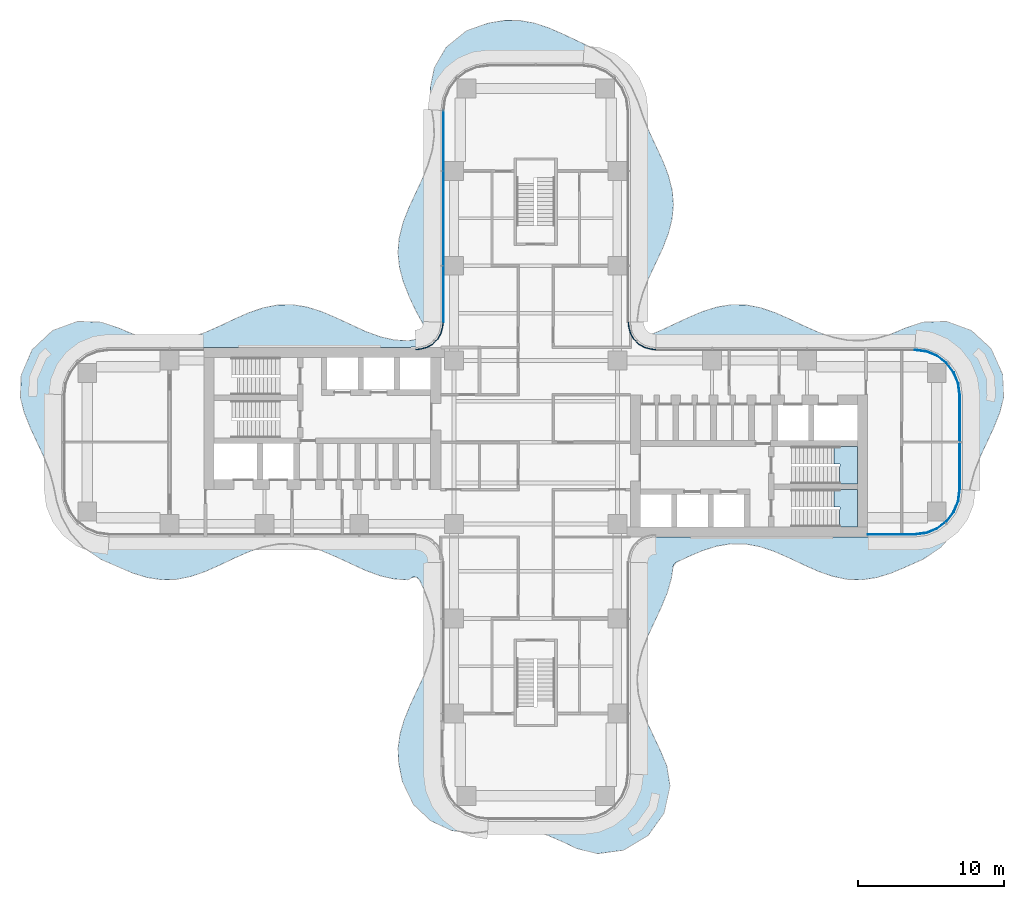
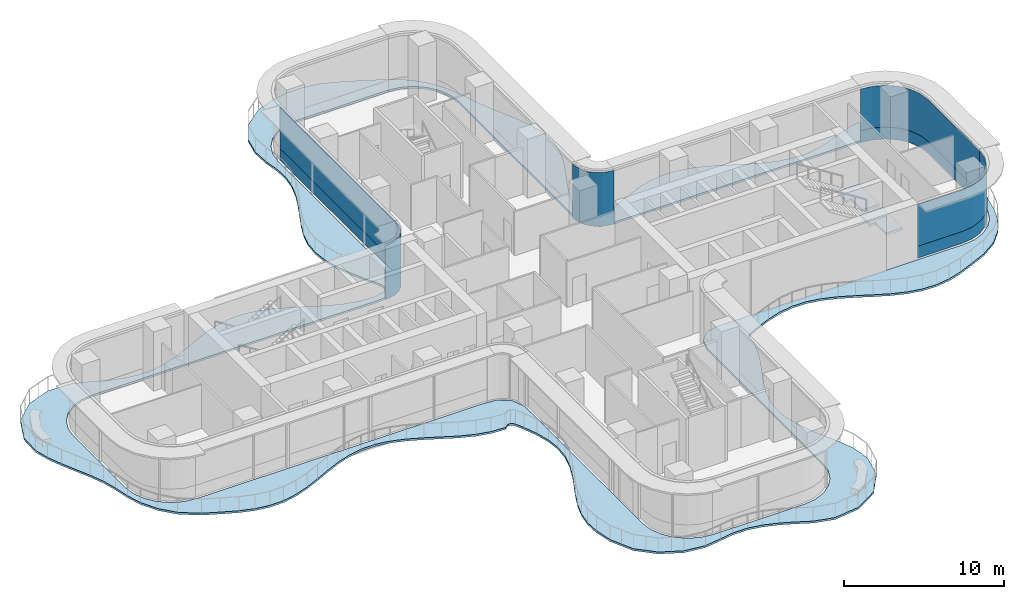
# One storey, part 13 of 20: 8 plates, 3 slabs, 7 elements without a shape of their own.
"""IFC4 building model written with IfcOpenShell, lengths in metres."""

from ifc_helpers import new_model, si_unit, direction, frame, origin, place, context, subcontext, project, spatial, polyline, outline, extrude, source, transform, mapped, material, layer, layer_set, type_object, element, aggregate, save


model = new_model("IFC4")

# Units and contexts
model_context = context("Model", 3, precision=1e-05, world=origin(), true_north=direction((0.0, 1.0)))
body_context = subcontext(model_context, "Body", "Model", "MODEL_VIEW")
ifc_project = project(units=[si_unit("LENGTHUNIT", "METRE"), si_unit("AREAUNIT", "SQUARE_METRE"), si_unit("VOLUMEUNIT", "CUBIC_METRE"), si_unit("PLANEANGLEUNIT", "RADIAN"), si_unit("MASSUNIT", "GRAM", prefix="KILO")], contexts=[model_context])

# Site, building, storey
site_placement = place(None, origin())
site = spatial("IfcSite", under=ifc_project, at=site_placement, CompositionType="ELEMENT")
building_placement = place(site_placement, origin())
building = spatial("IfcBuilding", under=site, at=building_placement, Name="Trellis Farm Tower", CompositionType="ELEMENT")
storey_placement = place(building_placement, frame((0.0, 0.0, 142.5)))
storey = spatial("IfcBuildingStorey", under=building, at=storey_placement, Name="L30", CompositionType="ELEMENT", Elevation=142.5)

# Slab
ifc_material_1 = material(Name="Concrete C40/50", Category="concrete")
ifc_layer_1 = layer(ifc_material_1, 0.14990234375)
ifc_layer_set_1 = layer_set([ifc_layer_1], Name="Balcony slab 150")
slab_type_1 = type_object("IfcSlabType", Name="Balcony slab 150", PredefinedType="FLOOR", material=ifc_layer_set_1)
slab_1_placement = place(storey_placement, frame((0.0, 0.0, -0.14990234375)))
element("IfcSlab", 1, at=slab_1_placement, inside=storey, type_object=slab_type_1, Name="Balcony slab", PredefinedType="FLOOR", context=body_context, shape_type="SweptSolid", body=[
    extrude(outline(polyline([(-8.247802734375, -9.2275390625), (-8.375, -9.232421875), (-8.408203125, -9.24169921875), (-8.52734375, -9.307861328125), (-8.54150390625, -9.318115234375), (-8.63330078125, -9.40234375), (-8.684326171875, -9.43310546875), (-8.687744140625, -9.434326171875), (-8.7470703125, -9.44287109375), (-9.680419921875, -9.388427734375), (-9.704833984375, -9.385009765625), (-10.655029296875, -9.168701171875), (-10.67333984375, -9.163330078125), (-11.672119140625, -8.7978515625), (-11.68359375, -8.79296875), (-13.65869140625, -7.876953125), (-13.66064453125, -7.8759765625), (-14.67529296875, -7.44384765625), (-14.68212890625, -7.44140625), (-15.679443359375, -7.12744140625), (-15.690185546875, -7.125), (-16.680908203125, -6.9677734375), (-16.694091796875, -6.966796875), (-17.6767578125, -6.98583984375), (-17.689697265625, -6.987060546875), (-18.668212890625, -7.176513671875), (-18.677978515625, -7.17919921875), (-19.657958984375, -7.512451171875), (-19.663818359375, -7.514892578125), (-20.637939453125, -7.9423828125), (-20.639892578125, -7.943115234375), (-21.64111328125, -8.419189453125), (-21.64453125, -8.4208984375), (-22.638671875, -8.861572265625), (-22.650390625, -8.8662109375), (-23.636474609375, -9.2080078125), (-23.656005859375, -9.21337890625), (-24.6337890625, -9.4091796875), (-24.6591796875, -9.412109375), (-25.63037109375, -9.436279296875), (-25.65673828125, -9.434814453125), (-26.62646484375, -9.286376953125), (-26.648193359375, -9.281494140625), (-27.622802734375, -8.980224609375), (-27.63671875, -8.97509765625), (-28.618896484375, -8.5615234375), (-28.62158203125, -8.560546875), (-29.79443359375, -8.0400390625), (-29.817138671875, -8.027587890625), (-30.999267578125, -7.234375), (-31.027587890625, -7.209716796875), (-31.86865234375, -6.26708984375), (-31.8876953125, -6.240234375), (-32.486328125, -5.1689453125), (-32.498046875, -5.14208984375), (-32.8388671875, -4.094482421875), (-32.84326171875, -4.077880859375), (-33.064208984375, -2.986328125), (-33.0654296875, -2.981201171875), (-33.342041015625, -1.979248046875), (-33.3447265625, -1.971435546875), (-33.73779296875, -0.98974609375), (-33.739501953125, -0.986083984375), (-34.66162109375, 0.988525390625), (-34.6650390625, 0.996337890625), (-35.0634765625, 1.9951171875), (-35.069091796875, 2.0126953125), (-35.33203125, 3.0205078125), (-35.336669921875, 3.063232421875), (-35.287353515625, 4.5576171875), (-35.28369140625, 4.585693359375), (-35.275634765625, 4.621337890625), (-35.266845703125, 4.648193359375), (-34.5322265625, 6.337158203125), (-34.516845703125, 6.364501953125), (-34.49365234375, 6.397216796875), (-34.472900390625, 6.420654296875), (-33.14599609375, 7.640380859375), (-33.122314453125, 7.658203125), (-33.08984375, 7.677978515625), (-33.063232421875, 7.69091796875), (-31.477294921875, 8.269775390625), (-31.4501953125, 8.27685546875), (-31.41455078125, 8.28271484375), (-31.385986328125, 8.28466796875), (-29.84619140625, 8.2392578125), (-29.80322265625, 8.231689453125), (-28.630615234375, 7.84228515625), (-28.6201171875, 7.838134765625), (-27.608642578125, 7.414794921875), (-27.601806640625, 7.412353515625), (-26.6552734375, 7.12060546875), (-26.64453125, 7.118408203125), (-25.66552734375, 6.966552734375), (-25.65234375, 6.9658203125), (-24.66796875, 6.98779296875), (-24.6552734375, 6.989013671875), (-23.66259765625, 7.185302734375), (-23.65283203125, 7.18798828125), (-22.654296875, 7.532470703125), (-22.648193359375, 7.534912109375), (-21.645751953125, 7.978759765625), (-21.64404296875, 7.9794921875), (-20.6435546875, 8.455078125), (-20.639404296875, 8.45703125), (-19.659912109375, 8.886962890625), (-19.647705078125, 8.8916015625), (-18.67138671875, 9.22314453125), (-18.651611328125, 9.228515625), (-17.680908203125, 9.41455078125), (-17.6552734375, 9.417236328125), (-16.685302734375, 9.433349609375), (-16.65869140625, 9.431396484375), (-15.68310546875, 9.27392578125), (-15.66162109375, 9.268798828125), (-14.677490234375, 8.957275390625), (-14.6640625, 8.9521484375), (-13.664794921875, 8.52587890625), (-13.66064453125, 8.52392578125), (-11.686767578125, 7.6083984375), (-11.680908203125, 7.60595703125), (-10.657958984375, 7.232666015625), (-10.648681640625, 7.22998046875), (-9.713134765625, 7.016845703125), (-9.701171875, 7.01513671875), (-8.736083984375, 6.956298828125), (-8.72509765625, 6.95654296875), (-8.638916015625, 6.9638671875), (-8.62841796875, 6.96533203125), (-8.012939453125, 7.10498046875), (-7.998779296875, 7.10986328125), (-7.89208984375, 7.157958984375), (-7.8681640625, 7.17529296875), (-7.788818359375, 7.260986328125), (-7.77978515625, 7.27294921875), (-7.64501953125, 7.495361328125), (-7.6376953125, 7.51123046875), (-7.59619140625, 7.64111328125), (-7.593505859375, 7.67529296875), (-7.615234375, 7.809814453125), (-7.6201171875, 7.826904296875), (-7.77978515625, 8.205078125), (-7.783203125, 8.21240234375), (-8.23681640625, 9.031005859375), (-8.24169921875, 9.040283203125), (-8.699462890625, 10.027587890625), (-8.703125, 10.035888671875), (-9.08349609375, 11.006103515625), (-9.0888671875, 11.0224609375), (-9.346435546875, 11.9951171875), (-9.3505859375, 12.018798828125), (-9.447021484375, 12.98828125), (-9.447265625, 13.01513671875), (-9.368896484375, 13.987548828125), (-9.364990234375, 14.011962890625), (-9.1142578125, 15.011962890625), (-9.108642578125, 15.029296875), (-8.732421875, 16.00830078125), (-8.728271484375, 16.017822265625), (-7.8076171875, 17.99267578125), (-7.80615234375, 17.99560546875), (-7.398681640625, 18.97802734375), (-7.39599609375, 18.985595703125), (-7.091796875, 20.01611328125), (-7.08935546875, 20.027587890625), (-6.958740234375, 21.01708984375), (-6.958251953125, 21.030029296875), (-7.001708984375, 22.005859375), (-7.002685546875, 22.0146484375), (-7.17626953125, 23.06884765625), (-7.177978515625, 23.0869140625), (-7.228759765625, 24.3154296875), (-7.225830078125, 24.351806640625), (-6.95458984375, 25.66943359375), (-6.9375, 25.714599609375), (-6.149658203125, 27.0703125), (-6.133544921875, 27.093017578125), (-6.111083984375, 27.118896484375), (-6.091064453125, 27.13818359375), (-4.74609375, 28.2109375), (-4.701904296875, 28.235595703125), (-3.248779296875, 28.739501953125), (-3.223876953125, 28.745849609375), (-2.12158203125, 28.92529296875), (-2.096923828125, 28.92724609375), (-1.12451171875, 28.9248046875), (-1.098388671875, 28.92236328125), (-0.12841796875, 28.74853515625), (-0.10791015625, 28.743408203125), (0.85302734375, 28.427490234375), (0.86572265625, 28.422607421875), (1.864501953125, 27.990478515625), (1.868896484375, 27.988525390625), (3.99609375, 26.988037109375), (4.016357421875, 26.976806640625), (5.090576171875, 26.251708984375), (5.1162109375, 26.22998046875), (5.922607421875, 25.369140625), (5.939697265625, 25.34716796875), (6.544189453125, 24.3984375), (6.5546875, 24.378662109375), (7.0185546875, 23.331298828125), (7.023193359375, 23.3193359375), (7.385986328125, 22.260986328125), (7.3876953125, 22.2568359375), (7.79931640625, 21.260986328125), (7.80078125, 21.2578125), (8.728271484375, 19.267822265625), (8.732421875, 19.25830078125), (9.108642578125, 18.279296875), (9.1142578125, 18.26220703125), (9.3603515625, 17.289794921875), (9.3642578125, 17.265869140625), (9.447509765625, 16.296630859375), (9.447265625, 16.269287109375), (9.3505859375, 15.26904296875), (9.346435546875, 15.2451171875), (9.0888671875, 14.2724609375), (9.08349609375, 14.256103515625), (8.698974609375, 13.2763671875), (8.6953125, 13.267578125), (7.773193359375, 11.29296875), (7.771728515625, 11.28955078125), (7.371337890625, 10.307373046875), (7.36865234375, 10.2998046875), (7.086181640625, 9.320556640625), (7.083984375, 9.3095703125), (6.9638671875, 8.389404296875), (6.96337890625, 8.373046875), (6.975341796875, 8.24072265625), (6.978515625, 8.22509765625), (7.128173828125, 7.748291015625), (7.134765625, 7.733642578125), (7.197021484375, 7.624755859375), (7.21826171875, 7.601318359375), (7.320068359375, 7.528564453125), (7.334228515625, 7.5205078125), (7.6083984375, 7.403076171875), (7.635986328125, 7.397216796875), (7.869384765625, 7.392333984375), (7.8974609375, 7.397216796875), (8.443359375, 7.60546875), (8.448486328125, 7.607666015625), (10.410400390625, 8.52392578125), (10.4150390625, 8.52587890625), (11.4140625, 8.9521484375), (11.427490234375, 8.957275390625), (12.41162109375, 9.268798828125), (12.43310546875, 9.27392578125), (13.40869140625, 9.431396484375), (13.435302734375, 9.433349609375), (14.4052734375, 9.417236328125), (14.430908203125, 9.41455078125), (15.401611328125, 9.228515625), (15.42138671875, 9.22314453125), (16.397705078125, 8.8916015625), (16.409912109375, 8.886962890625), (17.389404296875, 8.45703125), (17.3935546875, 8.455078125), (18.39404296875, 7.9794921875), (18.395751953125, 7.978759765625), (19.398193359375, 7.534912109375), (19.404296875, 7.532470703125), (20.40283203125, 7.18798828125), (20.41259765625, 7.185302734375), (21.4052734375, 6.989013671875), (21.41796875, 6.98779296875), (22.40234375, 6.9658203125), (22.41552734375, 6.966552734375), (23.39453125, 7.118408203125), (23.4052734375, 7.12060546875), (24.351806640625, 7.412353515625), (24.358642578125, 7.414794921875), (25.3701171875, 7.838134765625), (25.380615234375, 7.84228515625), (26.55322265625, 8.231689453125), (26.59619140625, 8.2392578125), (28.135986328125, 8.28466796875), (28.16455078125, 8.28271484375), (28.2001953125, 8.27685546875), (28.227294921875, 8.269775390625), (29.813232421875, 7.69091796875), (29.83984375, 7.677978515625), (29.872314453125, 7.658203125), (29.89599609375, 7.640380859375), (31.222900390625, 6.420654296875), (31.24365234375, 6.397216796875), (31.266845703125, 6.364501953125), (31.2822265625, 6.337158203125), (32.016845703125, 4.648193359375), (32.025634765625, 4.621337890625), (32.03369140625, 4.585693359375), (32.037353515625, 4.5576171875), (32.086669921875, 3.063232421875), (32.08203125, 3.0205078125), (31.819091796875, 2.0126953125), (31.8134765625, 1.9951171875), (31.4150390625, 0.996337890625), (31.41162109375, 0.988525390625), (30.489501953125, -0.986083984375), (30.48779296875, -0.98974609375), (30.0947265625, -1.971435546875), (30.092041015625, -1.979248046875), (29.8154296875, -2.981201171875), (29.814208984375, -2.986328125), (29.59326171875, -4.077880859375), (29.5888671875, -4.094482421875), (29.248046875, -5.14208984375), (29.236328125, -5.1689453125), (28.6376953125, -6.240234375), (28.61865234375, -6.26708984375), (27.77734375, -7.209716796875), (27.749267578125, -7.234375), (26.59326171875, -8.01318359375), (26.570556640625, -8.025634765625), (25.371826171875, -8.560302734375), (25.368896484375, -8.561767578125), (24.37060546875, -8.981201171875), (24.3564453125, -8.986083984375), (23.372802734375, -9.287109375), (23.35107421875, -9.292236328125), (22.375732421875, -9.436767578125), (22.349365234375, -9.438232421875), (21.37939453125, -9.40869140625), (21.35400390625, -9.40576171875), (20.38330078125, -9.207275390625), (20.36376953125, -9.201904296875), (19.38671875, -8.86083984375), (19.37548828125, -8.856201171875), (18.390380859375, -8.4189453125), (18.386962890625, -8.417236328125), (17.39013671875, -7.943359375), (17.387939453125, -7.9423828125), (16.3857421875, -7.50390625), (16.37939453125, -7.50146484375), (15.381103515625, -7.166748046875), (15.37109375, -7.164306640625), (14.379150390625, -6.98095703125), (14.3662109375, -6.979736328125), (13.38232421875, -6.97119140625), (13.369384765625, -6.972412109375), (12.390380859375, -7.13671875), (12.380126953125, -7.139404296875), (11.400634765625, -7.453125), (11.39404296875, -7.45556640625), (10.423583984375, -7.870361328125), (10.4208984375, -7.87158203125), (9.631591796875, -8.24560546875), (9.615966796875, -8.255615234375), (9.5048828125, -8.347412109375), (9.483642578125, -8.376708984375), (9.4296875, -8.510498046875), (9.425048828125, -8.5283203125), (9.32080078125, -9.290771484375), (9.31640625, -9.31201171875), (9.035888671875, -10.287109375), (9.03076171875, -10.30224609375), (8.630859375, -11.28369140625), (8.627685546875, -11.29052734375), (7.7060546875, -13.264892578125), (7.7041015625, -13.269287109375), (7.305908203125, -14.289306640625), (7.303466796875, -14.29736328125), (7.0556640625, -15.237548828125), (7.053466796875, -15.2490234375), (6.953857421875, -16.229248046875), (6.95361328125, -16.24267578125), (7.030517578125, -17.2294921875), (7.0322265625, -17.24169921875), (7.278076171875, -18.236083984375), (7.28076171875, -18.244873046875), (7.6708984375, -19.265869140625), (7.673095703125, -19.270751953125), (8.593505859375, -21.244873046875), (8.59619140625, -21.250732421875), (8.994873046875, -22.21240234375), (9.00439453125, -22.24658203125), (9.21044921875, -23.561279296875), (9.212158203125, -23.58935546875), (9.2109375, -23.625244140625), (9.20751953125, -23.652587890625), (8.82421875, -25.37451171875), (8.81494140625, -25.403076171875), (8.799072265625, -25.438720703125), (8.7841796875, -25.464599609375), (7.71435546875, -26.961669921875), (7.69384765625, -26.985107421875), (7.664306640625, -27.01220703125), (7.63916015625, -27.03076171875), (6.08154296875, -27.95361328125), (6.05419921875, -27.96630859375), (6.017333984375, -27.97900390625), (5.988037109375, -27.986083984375), (4.262939453125, -28.21630859375), (4.234619140625, -28.21728515625), (4.197998046875, -28.215087890625), (4.169677734375, -28.2109375), (2.859619140625, -27.87890625), (2.831787109375, -27.869140625), (1.87060546875, -27.412353515625), (1.868408203125, -27.4111328125), (0.885009765625, -26.98486328125), (0.878662109375, -26.982421875), (-0.10107421875, -26.65869140625), (-0.111083984375, -26.65625), (-1.089599609375, -26.479248046875), (-1.10302734375, -26.47802734375), (-2.146484375, -26.477783203125), (-2.1591796875, -26.47900390625), (-3.144775390625, -26.64892578125), (-3.14892578125, -26.649658203125), (-4.32470703125, -26.8173828125), (-4.365478515625, -26.817626953125), (-5.74951171875, -26.635009765625), (-5.793701171875, -26.6220703125), (-7.1875, -25.966064453125), (-7.226318359375, -25.939453125), (-8.362060546875, -24.869384765625), (-8.38037109375, -24.8486328125), (-8.400634765625, -24.82080078125), (-8.414794921875, -24.797119140625), (-9.13427734375, -23.292724609375), (-9.14599609375, -23.2578125), (-9.396728515625, -22.013916015625), (-9.3994140625, -21.990966796875), (-9.442138671875, -21.021240234375), (-9.44091796875, -20.99462890625), (-9.3095703125, -20.02001953125), (-9.3046875, -19.99755859375), (-9.014404296875, -19.0146484375), (-9.00927734375, -19.0), (-8.59619140625, -18.0009765625), (-8.593505859375, -17.994873046875), (-7.6640625, -15.999755859375), (-7.662109375, -15.99462890625), (-7.28076171875, -14.994873046875), (-7.278076171875, -14.986083984375), (-7.0322265625, -13.99169921875), (-7.030517578125, -13.9794921875), (-6.95361328125, -12.99267578125), (-6.953857421875, -12.979248046875), (-7.053466796875, -11.9990234375), (-7.0556640625, -11.9873046875), (-7.31591796875, -11.0087890625), (-7.318603515625, -11.000732421875), (-7.69580078125, -10.038818359375), (-7.697509765625, -10.03466796875), (-7.977294921875, -9.4306640625), (-7.986572265625, -9.415771484375), (-8.071044921875, -9.308837890625), (-8.09814453125, -9.28759765625), (-8.2138671875, -9.234130859375), (-8.247802734375, -9.2275390625)]), holes=[polyline([(-7.64501953125, -6.61865234375), (-6.9130859375, -7.09228515625), (-6.87841796875, -7.12353515625), (-6.8779296875, -7.1240234375), (-6.854736328125, -7.163818359375), (-6.529541015625, -7.9912109375), (-6.52197265625, -8.01708984375), (-6.51513671875, -8.0517578125), (-6.512451171875, -8.07861328125), (-6.50048828125, -8.98486328125), (-6.50048828125, -22.75), (-6.389892578125, -23.59130859375), (-6.065185546875, -24.375244140625), (-5.548583984375, -25.048583984375), (-4.875244140625, -25.565185546875), (-4.09130859375, -25.889892578125), (-3.25, -26.00048828125), (3.25, -26.00048828125), (4.09130859375, -25.889892578125), (4.875244140625, -25.565185546875), (5.548583984375, -25.048583984375), (6.065185546875, -24.375244140625), (6.389892578125, -23.59130859375), (6.50048828125, -22.75), (6.50048828125, -8.326416015625), (6.504150390625, -8.29638671875), (6.718017578125, -7.40869140625), (6.734375, -7.367919921875), (6.761474609375, -7.32177734375), (6.78857421875, -7.2880859375), (7.39697265625, -6.719970703125), (7.432373046875, -6.6953125), (7.48046875, -6.67138671875), (7.521728515625, -6.657958984375), (8.4248046875, -6.502197265625), (8.443115234375, -6.50048828125), (26.0, -6.50048828125), (26.84130859375, -6.389892578125), (27.625244140625, -6.065185546875), (28.298583984375, -5.548583984375), (28.815185546875, -4.875244140625), (29.139892578125, -4.09130859375), (29.25048828125, -3.25), (29.25048828125, 3.25), (29.139892578125, 4.09130859375), (28.815185546875, 4.875244140625), (28.298583984375, 5.548583984375), (27.625244140625, 6.065185546875), (26.84130859375, 6.389892578125), (26.0, 6.50048828125), (8.443115234375, 6.50048828125), (8.4248046875, 6.502197265625), (7.521728515625, 6.657958984375), (7.48046875, 6.67138671875), (7.432373046875, 6.6953125), (7.39697265625, 6.719970703125), (6.78857421875, 7.2880859375), (6.761474609375, 7.32177734375), (6.734375, 7.367919921875), (6.718017578125, 7.40869140625), (6.504150390625, 8.29638671875), (6.50048828125, 8.326416015625), (6.50048828125, 22.75), (6.389892578125, 23.59130859375), (6.065185546875, 24.375244140625), (5.548583984375, 25.048583984375), (4.875244140625, 25.565185546875), (4.09130859375, 25.889892578125), (3.25, 26.00048828125), (-3.25, 26.00048828125), (-4.09130859375, 25.889892578125), (-4.875244140625, 25.565185546875), (-5.548583984375, 25.048583984375), (-6.065185546875, 24.375244140625), (-6.389892578125, 23.59130859375), (-6.50048828125, 22.75), (-6.50048828125, 8.98486328125), (-6.512451171875, 8.07861328125), (-6.51513671875, 8.0517578125), (-6.52197265625, 8.01708984375), (-6.529541015625, 7.9912109375), (-6.84375, 7.191650390625), (-6.8671875, 7.151611328125), (-6.903564453125, 7.107177734375), (-6.938232421875, 7.076171875), (-7.642578125, 6.6201171875), (-7.67529296875, 6.604248046875), (-7.718994140625, 6.589111328125), (-7.7548828125, 6.58154296875), (-8.682373046875, 6.50048828125), (-29.25, 6.50048828125), (-30.09130859375, 6.389892578125), (-30.875244140625, 6.065185546875), (-31.548583984375, 5.548583984375), (-32.065185546875, 4.875244140625), (-32.389892578125, 4.09130859375), (-32.50048828125, 3.25), (-32.50048828125, -3.25), (-32.389892578125, -4.09130859375), (-32.065185546875, -4.875244140625), (-31.548583984375, -5.548583984375), (-30.875244140625, -6.065185546875), (-30.09130859375, -6.389892578125), (-29.25, -6.50048828125), (-8.682373046875, -6.50048828125), (-7.75, -6.58203125), (-7.71240234375, -6.590087890625), (-7.676025390625, -6.603271484375), (-7.64501953125, -6.61865234375)])]), origin(), (0.0, 0.0, 1.0), 0.14990234375),
])

# Stair, slab
ifc_material_2 = material(Name="Concrete C50/60", Category="concrete")
stair_type = type_object("IfcStairType", Name="CORE EXIT STAIR 26 RISERS 173 MM", PredefinedType="HALF_TURN_STAIR", material=ifc_material_2)
placement_1 = place(storey_placement, origin())
stair_1 = element("IfcStair", 2, at=placement_1, inside=storey, type_object=stair_type, Name="Exit stair E1", PredefinedType="HALF_TURN_STAIR")
ifc_layer_2 = layer(ifc_material_2, 0.18994140625)
ifc_layer_set_2 = layer_set([ifc_layer_2], Name="CORE STAIR LANDING 190 CONCRETE C50/60")
slab_type_2 = type_object("IfcSlabType", Name="CORE STAIR LANDING 190 CONCRETE C50/60", PredefinedType="LANDING", material=ifc_layer_set_2)
shared_shape_1 = source(origin(), body_context, "Body", "SweptSolid", [
    extrude(outline(polyline([(20.840087890625, -5.800048828125), (20.840087890625, -4.60009765625), (20.85009765625, -4.60009765625), (20.85009765625, -4.449951171875), (20.453125, -4.449951171875), (20.453125, -3.25), (20.85009765625, -3.25), (22.050048828125, -3.25), (22.050048828125, -5.800048828125), (20.85009765625, -5.800048828125), (20.840087890625, -5.800048828125)])), origin(), (0.0, 0.0, 1.0), 0.18994140625),
])
placement_2 = place(storey_placement, frame((0.0, 0.0, 2.06005859375)))
slab_2 = element("IfcSlab", 3, at=placement_2, type_object=slab_type_2, Name="STE1 landing 1", PredefinedType="LANDING", context=body_context, shape_type="MappedRepresentation", body=[
    mapped(shared_shape_1, transform((0.0, 0.0, 0.0))),
])
aggregate(stair_1, [slab_2])

stair_2 = element("IfcStair", 4, at=placement_1, inside=storey, type_object=stair_type, Name="Exit stair E2", PredefinedType="HALF_TURN_STAIR")
shared_shape_2 = source(origin(), body_context, "Body", "SweptSolid", [
    extrude(outline(polyline([(20.840087890625, -2.85009765625), (20.840087890625, -1.64990234375), (20.85009765625, -1.64990234375), (20.85009765625, -1.5), (20.453125, -1.5), (20.453125, -0.300048828125), (20.85009765625, -0.300048828125), (22.050048828125, -0.300048828125), (22.050048828125, -2.85009765625), (20.85009765625, -2.85009765625), (20.840087890625, -2.85009765625)])), origin(), (0.0, 0.0, 1.0), 0.18994140625),
])
slab_3 = element("IfcSlab", 5, at=placement_2, type_object=slab_type_2, Name="STE2 landing 1", PredefinedType="LANDING", context=body_context, shape_type="MappedRepresentation", body=[
    mapped(shared_shape_2, transform((0.0, 0.0, 0.0))),
])
aggregate(stair_2, [slab_3])

# Curtain wall, plate
ifc_material_3 = material(Name="Aluminium and glass curtain wall", Category="aluminium")
ifc_layer_3 = layer(ifc_material_3, 0.166015625)
ifc_layer_set_3 = layer_set([ifc_layer_3], Name="WINTER GARDEN CURTAIN WALL CW3")
curtain_wall_type_1 = type_object("IfcCurtainWallType", Name="WINTER GARDEN CURTAIN WALL CW3", PredefinedType="NOTDEFINED", material=ifc_layer_set_3)
curtain_wall_1 = element("IfcCurtainWall", 6, at=placement_1, inside=storey, type_object=curtain_wall_type_1, Name="CW3 003", PredefinedType="NOTDEFINED")
ifc_material_4 = material(Name="Clear insulated glass", Category="glass")
ifc_layer_4 = layer(ifc_material_4, 0.0458984375)
ifc_layer_set_4 = layer_set([ifc_layer_4], Name="CW3 GLASS PANEL 46")
plate_type_1 = type_object("IfcPlateType", Name="CW3 GLASS PANEL 46", PredefinedType="CURTAIN_PANEL", material=ifc_layer_set_4)
shared_shape_3 = source(origin(), body_context, "Body", "SweptSolid", [
    extrude(outline(polyline([(8.2275390625, 6.3798828125), (8.0078125, 6.394287109375), (7.89208984375, 6.40966796875), (7.462158203125, 6.52490234375), (7.070556640625, 6.7509765625), (6.7509765625, 7.070556640625), (6.52490234375, 7.462158203125), (6.40966796875, 7.89208984375), (6.394287109375, 8.0078125), (6.3798828125, 8.2275390625), (6.333984375, 8.22607421875), (6.3486328125, 8.003173828125), (6.364501953125, 7.883056640625), (6.48193359375, 7.4443359375), (6.714111328125, 7.04248046875), (7.04248046875, 6.714111328125), (7.4443359375, 6.48193359375), (7.883056640625, 6.364501953125), (8.003173828125, 6.3486328125), (8.22607421875, 6.333984375), (8.2275390625, 6.3798828125)])), origin(), (0.0, 0.0, 1.0), 4.10009765625),
])
plate_1 = element("IfcPlate", 7, at=placement_1, type_object=plate_type_1, Name="PL3 003", PredefinedType="CURTAIN_PANEL", context=body_context, shape_type="MappedRepresentation", body=[
    mapped(shared_shape_3, transform((0.0, 0.0, 0.0))),
])
aggregate(curtain_wall_1, [plate_1])

curtain_wall_2 = element("IfcCurtainWall", 8, at=placement_1, inside=storey, type_object=curtain_wall_type_1, Name="CW3 004", PredefinedType="NOTDEFINED")
shared_shape_4 = source(origin(), body_context, "Body", "SweptSolid", [
    extrude(outline(polyline([(-6.3798828125, 8.2275390625), (-6.394287109375, 8.0078125), (-6.40966796875, 7.89208984375), (-6.52490234375, 7.462158203125), (-6.7509765625, 7.070556640625), (-7.070556640625, 6.7509765625), (-7.462158203125, 6.52490234375), (-7.89208984375, 6.40966796875), (-8.0078125, 6.394287109375), (-8.2275390625, 6.3798828125), (-8.22607421875, 6.333984375), (-8.003173828125, 6.3486328125), (-7.883056640625, 6.364501953125), (-7.4443359375, 6.48193359375), (-7.04248046875, 6.714111328125), (-6.714111328125, 7.04248046875), (-6.48193359375, 7.4443359375), (-6.364501953125, 7.883056640625), (-6.3486328125, 8.003173828125), (-6.333984375, 8.22607421875), (-6.3798828125, 8.2275390625)])), origin(), (0.0, 0.0, 1.0), 4.10009765625),
])
plate_2 = element("IfcPlate", 9, at=placement_1, type_object=plate_type_1, Name="PL3 004", PredefinedType="CURTAIN_PANEL", context=body_context, shape_type="MappedRepresentation", body=[
    mapped(shared_shape_4, transform((0.0, 0.0, 0.0))),
])
aggregate(curtain_wall_2, [plate_2])

# Curtain wall, plates
ifc_layer_5 = layer(ifc_material_3, 0.18994140625)
ifc_layer_set_5 = layer_set([ifc_layer_5], Name="RIBBON CURTAIN WALL CW1")
curtain_wall_type_2 = type_object("IfcCurtainWallType", Name="RIBBON CURTAIN WALL CW1", PredefinedType="NOTDEFINED", material=ifc_layer_set_5)
curtain_wall_3 = element("IfcCurtainWall", 10, at=placement_1, inside=storey, type_object=curtain_wall_type_2, Name="CW1 011", PredefinedType="NOTDEFINED")
ifc_layer_6 = layer(ifc_material_4, 0.0400390625)
ifc_layer_set_6 = layer_set([ifc_layer_6], Name="CW1 GLASS PANEL 40")
plate_type_2 = type_object("IfcPlateType", Name="CW1 GLASS PANEL 40", PredefinedType="CURTAIN_PANEL", material=ifc_layer_set_6)
shared_shape_5 = source(origin(), body_context, "Body", "SweptSolid", [
    extrude(outline(polyline([(-6.35009765625, 22.740234375), (-6.35009765625, 8.2265625), (-6.31005859375, 8.22509765625), (-6.31005859375, 22.737548828125), (-6.35009765625, 22.740234375)])), origin(), (0.0, 0.0, 1.0), 3.170166015625),
])
placement_3 = place(storey_placement, frame((0.0, 0.0, 0.89990234375)))
plate_3 = element("IfcPlate", 11, at=placement_3, type_object=plate_type_2, Name="PL1 011", PredefinedType="CURTAIN_PANEL", context=body_context, shape_type="MappedRepresentation", body=[
    mapped(shared_shape_5, transform((0.0, 0.0, 0.0))),
])
ifc_material_5 = material(Name="Sandstone faced insulated panel", Category="masonry")
ifc_layer_7 = layer(ifc_material_5, 0.050048828125)
ifc_layer_set_7 = layer_set([ifc_layer_7], Name="CW1 STONE SPANDREL PANEL 50")
plate_type_3 = type_object("IfcPlateType", Name="CW1 STONE SPANDREL PANEL 50", PredefinedType="CURTAIN_PANEL", material=ifc_layer_set_7)
shared_shape_6 = source(origin(), body_context, "Body", "SweptSolid", [
    extrude(outline(polyline([(-6.35009765625, 22.740234375), (-6.35009765625, 8.2265625), (-6.300048828125, 8.224853515625), (-6.300048828125, 22.73681640625), (-6.35009765625, 22.740234375)])), origin(), (0.0, 0.0, 1.0), 0.89990234375),
])
plate_4 = element("IfcPlate", 12, at=placement_1, type_object=plate_type_3, Name="PS1 011", PredefinedType="CURTAIN_PANEL", context=body_context, shape_type="MappedRepresentation", body=[
    mapped(shared_shape_6, transform((0.0, 0.0, 0.0))),
])
aggregate(curtain_wall_3, [plate_3, plate_4])

curtain_wall_4 = element("IfcCurtainWall", 13, at=placement_1, inside=storey, type_object=curtain_wall_type_2, Name="CW1 006", PredefinedType="NOTDEFINED")
shared_shape_7 = source(origin(), body_context, "Body", "SweptSolid", [
    extrude(outline(polyline([(22.780029296875, -6.35009765625), (25.990234375, -6.35009765625), (26.802001953125, -6.2431640625), (27.54931640625, -5.93359375), (28.191162109375, -5.441162109375), (28.68359375, -4.79931640625), (28.9931640625, -4.052001953125), (29.10009765625, -3.240234375), (29.06005859375, -3.237548828125), (28.9541015625, -4.04150390625), (28.648681640625, -4.779296875), (28.16259765625, -5.41259765625), (27.529296875, -5.898681640625), (26.79150390625, -6.2041015625), (25.987548828125, -6.31005859375), (22.780029296875, -6.31005859375), (22.780029296875, -6.35009765625)])), origin(), (0.0, 0.0, 1.0), 3.170166015625),
])
plate_5 = element("IfcPlate", 14, at=placement_3, type_object=plate_type_2, Name="PL1 006", PredefinedType="CURTAIN_PANEL", context=body_context, shape_type="MappedRepresentation", body=[
    mapped(shared_shape_7, transform((0.0, 0.0, 0.0))),
])
shared_shape_8 = source(origin(), body_context, "Body", "SweptSolid", [
    extrude(outline(polyline([(22.780029296875, -6.35009765625), (25.990234375, -6.35009765625), (26.802001953125, -6.2431640625), (27.54931640625, -5.93359375), (28.191162109375, -5.441162109375), (28.68359375, -4.79931640625), (28.9931640625, -4.052001953125), (29.10009765625, -3.240234375), (29.050048828125, -3.23681640625), (28.9443359375, -4.0390625), (28.639892578125, -4.774169921875), (28.155517578125, -5.405517578125), (27.524169921875, -5.889892578125), (26.7890625, -6.1943359375), (25.98681640625, -6.300048828125), (22.780029296875, -6.300048828125), (22.780029296875, -6.35009765625)])), origin(), (0.0, 0.0, 1.0), 0.89990234375),
])
plate_6 = element("IfcPlate", 15, at=placement_1, type_object=plate_type_3, Name="PS1 006", PredefinedType="CURTAIN_PANEL", context=body_context, shape_type="MappedRepresentation", body=[
    mapped(shared_shape_8, transform((0.0, 0.0, 0.0))),
])
aggregate(curtain_wall_4, [plate_5, plate_6])

curtain_wall_5 = element("IfcCurtainWall", 16, at=placement_1, inside=storey, type_object=curtain_wall_type_2, Name="CW1 007", PredefinedType="NOTDEFINED")
shared_shape_9 = source(origin(), body_context, "Body", "SweptSolid", [
    extrude(outline(polyline([(29.10009765625, -3.240234375), (29.10009765625, 3.240234375), (28.9931640625, 4.052001953125), (28.68359375, 4.79931640625), (28.191162109375, 5.441162109375), (27.54931640625, 5.93359375), (26.802001953125, 6.2431640625), (25.990234375, 6.35009765625), (25.987548828125, 6.31005859375), (26.79150390625, 6.2041015625), (27.529296875, 5.898681640625), (28.16259765625, 5.41259765625), (28.648681640625, 4.779296875), (28.9541015625, 4.04150390625), (29.06005859375, 3.237548828125), (29.06005859375, -3.237548828125), (29.10009765625, -3.240234375)])), origin(), (0.0, 0.0, 1.0), 3.170166015625),
])
plate_7 = element("IfcPlate", 17, at=placement_3, type_object=plate_type_2, Name="PL1 007", PredefinedType="CURTAIN_PANEL", context=body_context, shape_type="MappedRepresentation", body=[
    mapped(shared_shape_9, transform((0.0, 0.0, 0.0))),
])
shared_shape_10 = source(origin(), body_context, "Body", "SweptSolid", [
    extrude(outline(polyline([(29.10009765625, -3.240234375), (29.10009765625, 3.240234375), (28.9931640625, 4.052001953125), (28.68359375, 4.79931640625), (28.191162109375, 5.441162109375), (27.54931640625, 5.93359375), (26.802001953125, 6.2431640625), (25.990234375, 6.35009765625), (25.98681640625, 6.300048828125), (26.7890625, 6.1943359375), (27.524169921875, 5.889892578125), (28.155517578125, 5.405517578125), (28.639892578125, 4.774169921875), (28.9443359375, 4.0390625), (29.050048828125, 3.23681640625), (29.050048828125, -3.23681640625), (29.10009765625, -3.240234375)])), origin(), (0.0, 0.0, 1.0), 0.89990234375),
])
plate_8 = element("IfcPlate", 18, at=placement_1, type_object=plate_type_3, Name="PS1 007", PredefinedType="CURTAIN_PANEL", context=body_context, shape_type="MappedRepresentation", body=[
    mapped(shared_shape_10, transform((0.0, 0.0, 0.0))),
])
aggregate(curtain_wall_5, [plate_7, plate_8])

save(model, "model.ifc")
